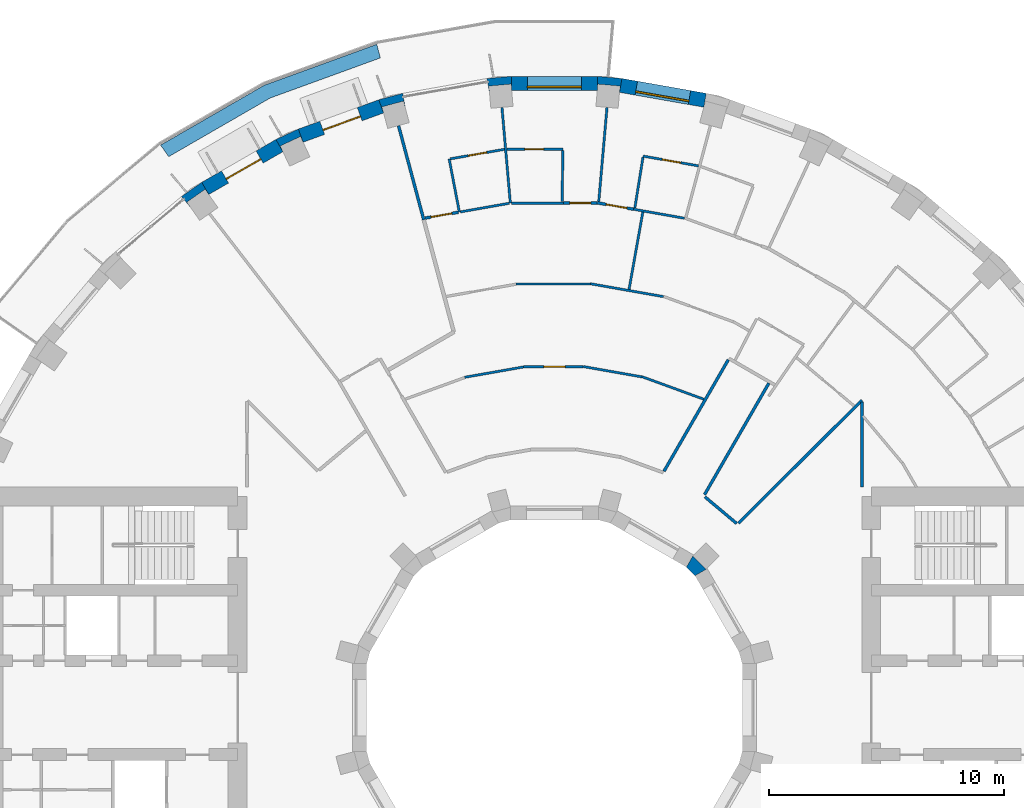
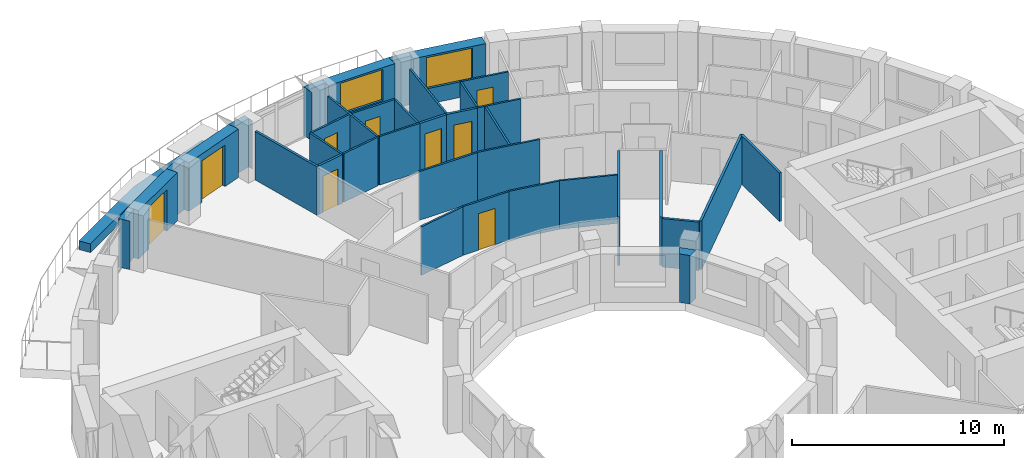
# One storey, part 11 of 14: 38 walls, 9 doors, 2 windows, 11 openings.
"""IFC4 building model written with IfcOpenShell, lengths in metres."""

import ifcopenshell
import ifcopenshell.guid

model = None  # the IFC model being written
_history = None  # IfcOwnerHistory: only IFC2X3 demands one
_inside = {}  # id of a spatial element -> (the spatial element, [elements in it])
_under = {}  # id of a project, library or spatial element -> (it, [spatial elements below it])
_declared = {}  # id of a project -> (the project, [libraries it declares])
_typed = {}  # id of a type object -> (the type object, [elements of that type])
_made_of = {}  # id of a material, layer set ... -> (it, [elements and type objects made of it])


def new_model(schema):
    """Start an empty IFC model of exactly this schema.

    Asked for "IFC4X3", IfcOpenShell would pick the latest addendum, in which some entities
    have other attributes; the version numbers below select the first issue.
    IFC2X3 requires an IfcOwnerHistory on every rooted entity: one is made here for all.
    """
    global model, _history
    if schema == "IFC4X3":
        model = ifcopenshell.file(schema_version=(4, 3, 0, 0))
    else:
        model = ifcopenshell.file(schema=schema)
    _inside.clear()
    _under.clear()
    _declared.clear()
    _typed.clear()
    _made_of.clear()
    _history = None
    if model.schema == "IFC2X3":
        org = make("IfcOrganization", Name="unknown")
        user = make(
            "IfcPersonAndOrganization",
            ThePerson=make("IfcPerson", FamilyName="unknown"),
            TheOrganization=org,
        )
        app = make(
            "IfcApplication",
            ApplicationDeveloper=org,
            Version="unknown",
            ApplicationFullName="unknown",
            ApplicationIdentifier="unknown",
        )
        _history = make(
            "IfcOwnerHistory",
            OwningUser=user,
            OwningApplication=app,
            ChangeAction="ADDED",
            CreationDate=0,
        )
    return model


def make(cls, **values):
    """One entity of the class cls with the attributes given. An attribute that is None is left unset."""
    return model.create_entity(
        cls, **{name: value for name, value in values.items() if value is not None}
    )


def rooted(cls, **values):
    """An entity with a GlobalId (a new one), such as an element, a storey or a relation."""
    return make(cls, GlobalId=ifcopenshell.guid.new(), OwnerHistory=_history, **values)


def si_unit(unit_type, name, prefix=None):
    """IfcSIUnit, for example si_unit("LENGTHUNIT", "METRE", prefix="MILLI")."""
    return make("IfcSIUnit", UnitType=unit_type, Prefix=prefix, Name=name)


def assignment(units):
    """IfcUnitAssignment: the units of a project."""
    return None if units is None else make("IfcUnitAssignment", Units=units)


def point(xyz):
    """IfcCartesianPoint."""
    return None if xyz is None else make("IfcCartesianPoint", Coordinates=xyz)


def direction(xyz):
    """IfcDirection."""
    return None if xyz is None else make("IfcDirection", DirectionRatios=xyz)


def frame(location, z_axis=None, x_axis=None):
    """IfcAxis2Placement3D, a coordinate frame: its origin and axes. An axis left out is left unset."""
    return make(
        "IfcAxis2Placement3D",
        Location=point(location),
        Axis=direction(z_axis),
        RefDirection=direction(x_axis),
    )


def frame_2d(location, x_axis=None):
    """IfcAxis2Placement2D, a coordinate frame in the plane: its origin and x axis."""
    return make(
        "IfcAxis2Placement2D", Location=point(location), RefDirection=direction(x_axis)
    )


def origin():
    """The frame at (0, 0, 0) with its axes left unset."""
    return frame((0.0, 0.0, 0.0))


def place(relative_to, where):
    """IfcLocalPlacement: puts the frame where relative to a parent placement (None: the world)."""
    return make(
        "IfcLocalPlacement", PlacementRelTo=relative_to, RelativePlacement=where
    )


def context(
    kind, dimensions, precision=None, world=None, true_north=None, identifier=None
):
    """IfcGeometricRepresentationContext, for example the 3D "Model" context."""
    return make(
        "IfcGeometricRepresentationContext",
        ContextIdentifier=identifier,
        ContextType=kind,
        CoordinateSpaceDimension=dimensions,
        Precision=precision,
        WorldCoordinateSystem=world,
        TrueNorth=true_north,
    )


def subcontext(parent, identifier, kind, view, scale=None):
    """IfcGeometricRepresentationSubContext, for example "Body" below "Model"."""
    return make(
        "IfcGeometricRepresentationSubContext",
        ContextIdentifier=identifier,
        ContextType=kind,
        ParentContext=parent,
        TargetScale=scale,
        TargetView=view,
    )


def project(units=None, contexts=None):
    """IfcProject with its units and contexts."""
    return rooted(
        "IfcProject",
        Name="project",
        RepresentationContexts=contexts,
        UnitsInContext=assignment(units),
    )


def spatial(cls, under=None, at=None, **own):
    """A site, building, storey or space (cls), placed at a placement, below another one or the project."""
    s = rooted(cls, ObjectPlacement=at, **own)
    if under is not None:
        _under.setdefault(under.id(), (under, []))[1].append(s)
    return s


def polyline(points):
    """IfcPolyline through the points."""
    return make("IfcPolyline", Points=[point(p) for p in points])


def profile(cls, at=None, kind="AREA", **sizes):
    """A parametric profile (cls). Its sizes go by their IFC names, for example OverallWidth=200.0."""
    return make(cls, ProfileType=kind, Position=at, **sizes)


def rectangle(**sizes):
    """IfcRectangleProfileDef."""
    return profile("IfcRectangleProfileDef", **sizes)


def outline(outer, holes=None, kind="AREA"):
    """IfcArbitraryClosedProfileDef: a profile drawn as a closed curve; with holes, ...WithVoids."""
    if holes is None:
        return make("IfcArbitraryClosedProfileDef", ProfileType=kind, OuterCurve=outer)
    return make(
        "IfcArbitraryProfileDefWithVoids",
        ProfileType=kind,
        OuterCurve=outer,
        InnerCurves=holes,
    )


def extrude(swept, where, along, depth):
    """IfcExtrudedAreaSolid: the profile swept, set in the frame where, extruded along a direction by depth."""
    return make(
        "IfcExtrudedAreaSolid",
        SweptArea=swept,
        Position=where,
        ExtrudedDirection=direction(along),
        Depth=depth,
    )


def shape(context_of_items, identifier, shape_type, items):
    """IfcShapeRepresentation: the items that make up one representation, for example the "Body"."""
    return make(
        "IfcShapeRepresentation",
        ContextOfItems=context_of_items,
        RepresentationIdentifier=identifier,
        RepresentationType=shape_type,
        Items=items,
    )


def material(Name=None, Category=None):
    """IfcMaterial."""
    return make("IfcMaterial", Name=Name, Category=Category)


def layer(
    of_material, thickness, ventilated=None, Name=None, Category=None, Priority=None
):
    """IfcMaterialLayer: one layer of a wall or slab, of a material (None: an air gap)."""
    return make(
        "IfcMaterialLayer",
        Material=of_material,
        LayerThickness=thickness,
        IsVentilated=ventilated,
        Name=Name,
        Category=Category,
        Priority=Priority,
    )


def layer_set(layers, Name=None):
    """IfcMaterialLayerSet."""
    return make("IfcMaterialLayerSet", MaterialLayers=layers, LayerSetName=Name)


def made_of(thing, what):
    """Note that an element or type object is made of a material, layer set ...; save() writes the relation."""
    if what is not None:
        _made_of.setdefault(what.id(), (what, []))[1].append(thing)
    return thing


def type_object(cls, material=None, **own):
    """A type object (cls), such as IfcWallType, which elements share."""
    return made_of(rooted(cls, **own), material)


def element(
    cls,
    number,
    at=None,
    inside=None,
    cuts=None,
    type_object=None,
    material=None,
    context=None,
    identifier="Body",
    shape_type=None,
    held_by="IfcProductDefinitionShape",
    body=None,
    shapes=None,
    **own,
):
    """One element of the class cls, such as IfcWall. Its Tag is "e" and its number.

    at: its placement. inside: the storey or other place that contains it. cuts: it is an
    opening in that element (IfcRelVoidsElement). A single representation is given by context,
    identifier, shape_type and body (its items); several are given by shapes. held_by: the class
    of the entity that holds the representations. save() writes the other relations.
    """
    e = rooted(cls, Tag="e%d" % number, ObjectPlacement=at, **own)
    if body is not None:
        shapes = [shape(context, identifier, shape_type, body)]
    if shapes is not None:
        e.Representation = make(held_by, Representations=shapes)
    if inside is not None:
        _inside.setdefault(inside.id(), (inside, []))[1].append(e)
    if cuts is not None:
        rooted(
            "IfcRelVoidsElement", RelatingBuildingElement=cuts, RelatedOpeningElement=e
        )
    if type_object is not None:
        _typed.setdefault(type_object.id(), (type_object, []))[1].append(e)
    return made_of(e, material)


def fill(opening, filler):
    """IfcRelFillsElement: the door or window that sits in an opening."""
    return rooted(
        "IfcRelFillsElement",
        RelatingOpeningElement=opening,
        RelatedBuildingElement=filler,
    )


def aggregate(whole, parts):
    """IfcRelAggregates: a whole, such as a stair, and the parts it consists of."""
    return rooted("IfcRelAggregates", RelatingObject=whole, RelatedObjects=parts)


def save(model, path):
    """Write the relations noted so far, then the file.

    IfcRelAggregates (storeys below a building ...), IfcRelContainedInSpatialStructure (elements
    in a storey), IfcRelDefinesByType, IfcRelAssociatesMaterial and IfcRelDeclares: one each for
    every whole, place, type object, material and project.
    """
    for whole, parts in _under.values():
        aggregate(whole, parts)
    for where, things in _inside.values():
        rooted(
            "IfcRelContainedInSpatialStructure",
            RelatedElements=things,
            RelatingStructure=where,
        )
    for kind, things in _typed.values():
        rooted("IfcRelDefinesByType", RelatedObjects=things, RelatingType=kind)
    for what, things in _made_of.values():
        rooted("IfcRelAssociatesMaterial", RelatedObjects=things, RelatingMaterial=what)
    for by, libraries in _declared.values():
        rooted("IfcRelDeclares", RelatingContext=by, RelatedDefinitions=libraries)
    model.write(path)


model = new_model("IFC4")

# Units and contexts
model_context = context("Model", 3, precision=1e-05, world=origin(), true_north=direction((0.0, 1.0)))
body_context = subcontext(model_context, "Body", "Model", "MODEL_VIEW")
ifc_project = project(units=[si_unit("LENGTHUNIT", "METRE"), si_unit("AREAUNIT", "SQUARE_METRE"), si_unit("VOLUMEUNIT", "CUBIC_METRE"), si_unit("PLANEANGLEUNIT", "RADIAN"), si_unit("MASSUNIT", "GRAM", prefix="KILO")], contexts=[model_context])

# Site, building, storey
site_placement = place(None, origin())
site = spatial("IfcSite", under=ifc_project, at=site_placement, CompositionType="ELEMENT")
building_placement = place(site_placement, origin())
building = spatial("IfcBuilding", under=site, at=building_placement, Name="Saqina Gate Tower", CompositionType="ELEMENT")
storey_placement = place(building_placement, frame((0.0, 0.0, 95.199951171875)))
storey = spatial("IfcBuildingStorey", under=building, at=storey_placement, Name="L26", CompositionType="ELEMENT", Elevation=95.199951171875)

# Walls
ifc_material_1 = material(Name="Brick masonry (buff)", Category="masonry")
wall_type_1 = type_object("IfcWallType", Name="BRICK PIER COPING BUFF", PredefinedType="SOLIDWALL", material=ifc_material_1)
wall_1_placement = place(storey_placement, origin())
element("IfcWall", 1, at=wall_1_placement, inside=storey, type_object=wall_type_1, Name="Pier cap L26 column 9", PredefinedType="SOLIDWALL", context=body_context, shape_type="SweptSolid", body=[
    extrude(outline(polyline([(2.87451171875, 26.805419921875), (1.823974609375, 26.897216796875), (1.823974609375, 26.29736328125), (1.847412109375, 26.565185546875), (2.793701171875, 26.482421875), (2.770263671875, 26.214599609375), (2.87451171875, 26.805419921875)])), origin(), (0.0, 0.0, 1.0), 2.800048828125),
])
wall_2_placement = place(storey_placement, origin())
element("IfcWall", 2, at=wall_2_placement, inside=storey, type_object=wall_type_1, Name="Pier cap L26 column 10", PredefinedType="SOLIDWALL", context=body_context, shape_type="SweptSolid", body=[
    extrude(outline(polyline([(-2.87451171875, 26.805419921875), (-2.770263671875, 26.214599609375), (-2.793701171875, 26.482421875), (-1.847412109375, 26.565185546875), (-1.823974609375, 26.29736328125), (-1.823974609375, 26.897216796875), (-2.87451171875, 26.805419921875)])), origin(), (0.0, 0.0, 1.0), 2.800048828125),
])
wall_3_placement = place(storey_placement, origin())
element("IfcWall", 3, at=wall_3_placement, inside=storey, type_object=wall_type_1, Name="Pier cap L26 column 11", PredefinedType="SOLIDWALL", context=body_context, shape_type="SweptSolid", body=[
    extrude(outline(polyline([(-6.466796875, 26.171875), (-7.485595703125, 25.89892578125), (-7.2802734375, 25.335205078125), (-7.349853515625, 25.5947265625), (-6.43212890625, 25.8408203125), (-6.36279296875, 25.5810546875), (-6.466796875, 26.171875)])), origin(), (0.0, 0.0, 1.0), 2.800048828125),
])
wall_4_placement = place(storey_placement, origin())
element("IfcWall", 4, at=wall_4_placement, inside=storey, type_object=wall_type_1, Name="Pier cap L26 column 12", PredefinedType="SOLIDWALL", context=body_context, shape_type="SweptSolid", body=[
    extrude(outline(polyline([(-10.913330078125, 24.6513671875), (-11.869140625, 24.205810546875), (-11.569091796875, 23.68603515625), (-11.6826171875, 23.9296875), (-10.82177734375, 24.331298828125), (-10.7080078125, 24.08740234375), (-10.913330078125, 24.6513671875)])), origin(), (0.0, 0.0, 1.0), 2.800048828125),
])
wall_5_placement = place(storey_placement, origin())
element("IfcWall", 5, at=wall_5_placement, inside=storey, type_object=wall_type_1, Name="Pier cap L26 column 13", PredefinedType="SOLIDWALL", context=body_context, shape_type="SweptSolid", body=[
    extrude(outline(polyline([(-15.89208984375, 21.77685546875), (-15.50634765625, 21.317138671875), (-15.66064453125, 21.53759765625), (-14.88232421875, 22.08251953125), (-14.728271484375, 21.862060546875), (-15.0283203125, 22.3818359375), (-15.89208984375, 21.77685546875)])), origin(), (0.0, 0.0, 1.0), 2.800048828125),
])

# Wall, opening, window
ifc_material_2 = material(Name="Brick masonry (buff)", Category="masonry")
ifc_layer_1 = layer(ifc_material_2, 0.60009765625)
ifc_layer_set_1 = layer_set([ifc_layer_1], Name="FW-BRICK-BUFF")
wall_type_2 = type_object("IfcWallType", Name="FW-BRICK-BUFF", PredefinedType="SOLIDWALL", material=ifc_layer_set_1)
wall_6_placement = place(storey_placement, frame((6.414794921875, 25.87646484375, 0.0), z_axis=(0.0, 0.0, 1.0), x_axis=(-0.984803764455, 0.173670796382, 0.0)))
wall_6 = element("IfcWall", 6, at=wall_6_placement, inside=storey, type_object=wall_type_2, Name="Facade wall L26 facet 8", PredefinedType="SOLIDWALL", context=body_context, shape_type="SweptSolid", body=[
    extrude(rectangle(XDim=3.64794921875, YDim=0.60009765625, at=frame_2d((1.823974609375, 0.0))), origin(), (0.0, 0.0, 1.0), 2.800048828125),
])
opening_1_placement = place(wall_6_placement, frame((0.673828125, 0.0, 0.89990234375)))
opening_1 = element("IfcOpeningElement", 7, at=opening_1_placement, cuts=wall_6, Name="Opening G07-W06", PredefinedType="OPENING", context=body_context, shape_type="SweptSolid", body=[
    extrude(rectangle(XDim=2.300048828125, YDim=1.800048828125, at=frame_2d((1.14990234375, 0.89990234375))), frame((0.0, 0.31201171875, 0.0), z_axis=(0.0, -1.0, 0.0), x_axis=(1.0, 0.0, 0.0)), (0.0, 0.0, 1.0), 0.6240234375),
])
ifc_material_3 = material(Name="Aluminium glazing", Category="aluminium")
window_type = type_object("IfcWindowType", Name="WN-B", PartitioningType="SINGLE_PANEL", PredefinedType="WINDOW", material=ifc_material_3)
window_1_placement = place(opening_1_placement, origin())
window_1 = element("IfcWindow", 8, at=window_1_placement, inside=storey, type_object=window_type, Name="Window L26 facet 8", OverallHeight=1.800048828125, OverallWidth=2.300048828125, PartitioningType="SINGLE_PANEL", PredefinedType="WINDOW", context=body_context, shape_type="SweptSolid", body=[
    extrude(rectangle(XDim=2.300048828125, YDim=1.800048828125, at=frame_2d((1.14990234375, 0.89990234375))), frame((0.0, 0.179931640625, 0.0), z_axis=(0.0, -1.0, 0.0), x_axis=(1.0, 0.0, 0.0)), (0.0, 0.0, 1.0), 0.06005859375),
])
fill(opening_1, window_1)

wall_7_placement = place(storey_placement, frame((1.823974609375, 26.59716796875, 0.0), z_axis=(0.0, 0.0, 1.0), x_axis=(-1.0, 0.0, 0.0)))
wall_7 = element("IfcWall", 9, at=wall_7_placement, inside=storey, type_object=wall_type_2, Name="Facade wall L26 facet 9", PredefinedType="SOLIDWALL", context=body_context, shape_type="SweptSolid", body=[
    extrude(rectangle(XDim=3.64794921875, YDim=0.60009765625, at=frame_2d((1.823974609375, 0.0))), origin(), (0.0, 0.0, 1.0), 2.800048828125),
])
opening_2_placement = place(wall_7_placement, frame((0.673828125, 0.0, 0.89990234375)))
opening_2 = element("IfcOpeningElement", 10, at=opening_2_placement, cuts=wall_7, Name="Opening G07-W07", PredefinedType="OPENING", context=body_context, shape_type="SweptSolid", body=[
    extrude(rectangle(XDim=2.300048828125, YDim=1.800048828125, at=frame_2d((1.14990234375, 0.89990234375))), frame((0.0, 0.31201171875, 0.0), z_axis=(0.0, -1.0, 0.0), x_axis=(1.0, 0.0, 0.0)), (0.0, 0.0, 1.0), 0.6240234375),
])
window_2_placement = place(opening_2_placement, origin())
window_2 = element("IfcWindow", 11, at=window_2_placement, inside=storey, type_object=window_type, Name="Window L26 facet 9", OverallHeight=1.800048828125, OverallWidth=2.300048828125, PartitioningType="SINGLE_PANEL", PredefinedType="WINDOW", context=body_context, shape_type="SweptSolid", body=[
    extrude(rectangle(XDim=2.300048828125, YDim=1.800048828125, at=frame_2d((1.14990234375, 0.89990234375))), frame((0.0, 0.179931640625, 0.0), z_axis=(0.0, -1.0, 0.0), x_axis=(1.0, 0.0, 0.0)), (0.0, 0.0, 1.0), 0.06005859375),
])
fill(opening_2, window_2)

# Wall, opening, door
wall_8_placement = place(storey_placement, frame((-7.3828125, 25.616943359375, 0.0), z_axis=(0.0, 0.0, 1.0), x_axis=(-0.939703505393, -0.341990236633, 0.0)))
wall_8 = element("IfcWall", 12, at=wall_8_placement, inside=storey, type_object=wall_type_2, Name="Facade wall L26 facet 11", PredefinedType="SOLIDWALL", context=body_context, shape_type="SweptSolid", body=[
    extrude(rectangle(XDim=3.64794921875, YDim=0.60009765625, at=frame_2d((1.823974609375, 0.0))), origin(), (0.0, 0.0, 1.0), 2.800048828125),
])
opening_3_placement = place(wall_8_placement, frame((0.973876953125, 0.0, 0.0)))
opening_3 = element("IfcOpeningElement", 13, at=opening_3_placement, cuts=wall_8, Name="Opening G07-D80", PredefinedType="OPENING", context=body_context, shape_type="SweptSolid", body=[
    extrude(rectangle(XDim=1.699951171875, YDim=2.39990234375, at=frame_2d((0.85009765625, 1.199951171875))), frame((0.0, 0.31201171875, 0.0), z_axis=(0.0, -1.0, 0.0), x_axis=(1.0, 0.0, 0.0)), (0.0, 0.0, 1.0), 0.6240234375),
])
ifc_material_4 = material(Name="Aluminium glazing", Category="aluminium")
door_type_1 = type_object("IfcDoorType", Name="GD-B", OperationType="DOUBLE_DOOR_SINGLE_SWING", PredefinedType="DOOR", material=ifc_material_4)
door_1_placement = place(opening_3_placement, origin())
door_1 = element("IfcDoor", 14, at=door_1_placement, inside=storey, type_object=door_type_1, Name="Terrace door L26 facet 11", OperationType="DOUBLE_DOOR_SINGLE_SWING", OverallHeight=2.39990234375, OverallWidth=1.699951171875, PredefinedType="DOOR", context=body_context, shape_type="SweptSolid", body=[
    extrude(rectangle(XDim=1.699951171875, YDim=2.39990234375, at=frame_2d((0.85009765625, 1.199951171875))), frame((0.0, 0.125, 0.0), z_axis=(0.0, -1.0, 0.0), x_axis=(1.0, 0.0, 0.0)), (0.0, 0.0, 1.0), 0.050048828125),
])
fill(opening_3, door_1)

wall_9_placement = place(storey_placement, frame((-11.718994140625, 23.94580078125, 0.0), z_axis=(0.0, 0.0, 1.0), x_axis=(-0.866051847062, -0.499954196102, 0.0)))
wall_9 = element("IfcWall", 15, at=wall_9_placement, inside=storey, type_object=wall_type_2, Name="Facade wall L26 facet 12", PredefinedType="SOLIDWALL", context=body_context, shape_type="SweptSolid", body=[
    extrude(rectangle(XDim=3.647705078125, YDim=0.60009765625, at=frame_2d((1.82373046875, 0.0))), origin(), (0.0, 0.0, 1.0), 2.800048828125),
])
opening_4_placement = place(wall_9_placement, frame((0.973876953125, 0.0, 0.0)))
opening_4 = element("IfcOpeningElement", 16, at=opening_4_placement, cuts=wall_9, Name="Opening G07-D81", PredefinedType="OPENING", context=body_context, shape_type="SweptSolid", body=[
    extrude(rectangle(XDim=1.699951171875, YDim=2.39990234375, at=frame_2d((0.85009765625, 1.199951171875))), frame((0.0, 0.31201171875, 0.0), z_axis=(0.0, -1.0, 0.0), x_axis=(1.0, 0.0, 0.0)), (0.0, 0.0, 1.0), 0.6240234375),
])
door_2_placement = place(opening_4_placement, origin())
door_2 = element("IfcDoor", 17, at=door_2_placement, inside=storey, type_object=door_type_1, Name="Terrace door L26 facet 12", OperationType="DOUBLE_DOOR_SINGLE_SWING", OverallHeight=2.39990234375, OverallWidth=1.699951171875, PredefinedType="DOOR", context=body_context, shape_type="SweptSolid", body=[
    extrude(rectangle(XDim=1.699951171875, YDim=2.39990234375, at=frame_2d((0.85009765625, 1.199951171875))), frame((0.0, 0.125, 0.0), z_axis=(0.0, -1.0, 0.0), x_axis=(1.0, 0.0, 0.0)), (0.0, 0.0, 1.0), 0.050048828125),
])
fill(opening_4, door_2)

# Walls
ifc_material_5 = material(Name="Gypsum board on steel studs, 100 mm", Category="steel")
ifc_layer_2 = layer(ifc_material_5, 0.10009765625)
ifc_layer_set_2 = layer_set([ifc_layer_2], Name="PARTITION 100")
wall_type_3 = type_object("IfcWallType", Name="PARTITION 100", PredefinedType="PARTITIONING", material=ifc_layer_set_2)
wall_10_placement = place(storey_placement, frame((-2.23681640625, 25.5673828125, 0.0), z_axis=(0.0, 0.0, 1.0), x_axis=(0.087060211484, -0.996203051379, 0.0)))
element("IfcWall", 18, at=wall_10_placement, inside=storey, type_object=wall_type_3, Name="PARTITION PW3-01", PredefinedType="PARTITIONING", context=body_context, shape_type="SweptSolid", body=[
    extrude(rectangle(XDim=4.0859375, YDim=0.10009765625, at=frame_2d((2.04296875, 0.0))), origin(), (0.0, 0.0, 1.0), 2.800048828125),
])
wall_11_placement = place(storey_placement, frame((-4.486083984375, 23.373046875, 0.0), z_axis=(0.0, 0.0, 1.0), x_axis=(0.188701744684, -0.982034445197, 0.0)))
element("IfcWall", 19, at=wall_11_placement, inside=storey, type_object=wall_type_3, Name="PARTITION PW3-04", PredefinedType="PARTITIONING", context=body_context, shape_type="SweptSolid", body=[
    extrude(rectangle(XDim=2.30029296875, YDim=0.10009765625, at=frame_2d((1.150146484375, 0.0))), origin(), (0.0, 0.0, 1.0), 2.800048828125),
])
wall_12_placement = place(storey_placement, frame((3.726318359375, 14.101318359375, 0.0), z_axis=(0.0, 0.0, 1.0), x_axis=(0.939597715072, -0.342280782152, 0.0)))
element("IfcWall", 20, at=wall_12_placement, inside=storey, type_object=wall_type_3, Name="PARTITION PW3-39", PredefinedType="PARTITIONING", context=body_context, shape_type="SweptSolid", body=[
    extrude(rectangle(XDim=2.806640625, YDim=0.10009765625, at=frame_2d((1.4033203125, 0.0))), origin(), (0.0, 0.0, 1.0), 2.800048828125),
])
wall_13_placement = place(storey_placement, frame((3.364990234375, 21.236328125, 0.0), z_axis=(0.0, 0.0, 1.0), x_axis=(0.98465059855, -0.174537098562, 0.0)))
element("IfcWall", 21, at=wall_13_placement, inside=storey, type_object=wall_type_3, Name="PARTITION PW3-43", PredefinedType="PARTITIONING", context=body_context, shape_type="SweptSolid", body=[
    extrude(rectangle(XDim=2.20458984375, YDim=0.10009765625, at=frame_2d((1.102294921875, 0.0))), origin(), (0.0, 0.0, 1.0), 2.800048828125),
])
wall_14_placement = place(storey_placement, frame((1.220947265625, 14.53369140625, 0.0), z_axis=(0.0, 0.0, 1.0), x_axis=(0.98484729526, -0.173423772937, 0.0)))
element("IfcWall", 22, at=wall_14_placement, inside=storey, type_object=wall_type_3, Name="PARTITION PW3-47", PredefinedType="PARTITIONING", context=body_context, shape_type="SweptSolid", body=[
    extrude(rectangle(XDim=2.54248046875, YDim=0.10009765625, at=frame_2d((1.271240234375, 0.0))), origin(), (0.0, 0.0, 1.0), 2.800048828125),
])
wall_15_placement = place(storey_placement, frame((1.529052734375, 18.060791015625, 0.0), z_axis=(0.0, 0.0, 1.0), x_axis=(0.984824759837, -0.173551699537, 0.0)))
element("IfcWall", 23, at=wall_15_placement, inside=storey, type_object=wall_type_3, Name="PARTITION PW3-48", PredefinedType="PARTITIONING", context=body_context, shape_type="SweptSolid", body=[
    extrude(rectangle(XDim=3.159423828125, YDim=0.10009765625, at=frame_2d((1.57958984375, 0.0))), origin(), (0.0, 0.0, 1.0), 2.800048828125),
])

# Wall, opening, door
wall_16_placement = place(storey_placement, frame((3.779052734375, 23.498046875, 0.0), z_axis=(0.0, 0.0, 1.0), x_axis=(0.984802055472, -0.173680486922, 0.0)))
wall_16 = element("IfcWall", 24, at=wall_16_placement, inside=storey, type_object=wall_type_3, Name="PARTITION PW3-49", PredefinedType="PARTITIONING", context=body_context, shape_type="SweptSolid", body=[
    extrude(rectangle(XDim=2.39111328125, YDim=0.10009765625, at=frame_2d((1.195556640625, 0.0))), origin(), (0.0, 0.0, 1.0), 2.800048828125),
])
opening_5_placement = place(wall_16_placement, frame((0.820556640625, 0.0, 0.0)))
opening_5 = element("IfcOpeningElement", 25, at=opening_5_placement, cuts=wall_16, Name="Opening G07-D13", PredefinedType="OPENING", context=body_context, shape_type="SweptSolid", body=[
    extrude(rectangle(XDim=0.800048828125, YDim=2.10009765625, at=frame_2d((0.39990234375, 1.050048828125))), frame((0.0, 0.06201171875, 0.0), z_axis=(0.0, -1.0, 0.0), x_axis=(1.0, 0.0, 0.0)), (0.0, 0.0, 1.0), 0.1240234375),
])
ifc_material_6 = material(Name="Timber door leaf, 800 mm", Category="wood")
door_type_2 = type_object("IfcDoorType", Name="DOOR 800 TIMBER", OperationType="SINGLE_SWING_LEFT", PredefinedType="DOOR", material=ifc_material_6)
door_3_placement = place(opening_5_placement, origin())
door_3 = element("IfcDoor", 26, at=door_3_placement, inside=storey, type_object=door_type_2, Name="DOOR G07-D13", OperationType="SINGLE_SWING_RIGHT", OverallHeight=2.10009765625, OverallWidth=0.800048828125, PredefinedType="DOOR", context=body_context, shape_type="SweptSolid", body=[
    extrude(rectangle(XDim=0.800048828125, YDim=2.10009765625, at=frame_2d((0.39990234375, 1.050048828125))), frame((0.0, 0.02490234375, 0.0), z_axis=(0.0, -1.0, 0.0), x_axis=(1.0, 0.0, 0.0)), (0.0, 0.0, 1.0), 0.050048828125),
])
fill(opening_5, door_3)

wall_17_placement = place(storey_placement, frame((-1.32177734375, 14.52490234375, 0.0), z_axis=(0.0, 0.0, 1.0), x_axis=(1.0, 0.0, 0.0)))
wall_17 = element("IfcWall", 27, at=wall_17_placement, inside=storey, type_object=wall_type_3, Name="PARTITION PW3-54", PredefinedType="PARTITIONING", context=body_context, shape_type="SweptSolid", body=[
    extrude(rectangle(XDim=2.542724609375, YDim=0.10009765625, at=frame_2d((1.271484375, 0.0))), origin(), (0.0, 0.0, 1.0), 2.800048828125),
])
opening_6_placement = place(wall_17_placement, frame((0.871826171875, 0.0, 0.0)))
opening_6 = element("IfcOpeningElement", 28, at=opening_6_placement, cuts=wall_17, Name="Opening G07-D16", PredefinedType="OPENING", context=body_context, shape_type="SweptSolid", body=[
    extrude(rectangle(XDim=0.89990234375, YDim=2.10009765625, at=frame_2d((0.449951171875, 1.050048828125))), frame((0.0, 0.06201171875, 0.0), z_axis=(0.0, -1.0, 0.0), x_axis=(1.0, 0.0, 0.0)), (0.0, 0.0, 1.0), 0.1240234375),
])
ifc_material_7 = material(Name="Timber door leaf, 900 mm", Category="wood")
door_type_3 = type_object("IfcDoorType", Name="DOOR 900 TIMBER", OperationType="SINGLE_SWING_LEFT", PredefinedType="DOOR", material=ifc_material_7)
door_4_placement = place(opening_6_placement, origin())
door_4 = element("IfcDoor", 29, at=door_4_placement, inside=storey, type_object=door_type_3, Name="DOOR G07-D16", OperationType="SINGLE_SWING_RIGHT", OverallHeight=2.10009765625, OverallWidth=0.89990234375, PredefinedType="DOOR", context=body_context, shape_type="SweptSolid", body=[
    extrude(rectangle(XDim=0.89990234375, YDim=2.10009765625, at=frame_2d((0.449951171875, 1.050048828125))), frame((0.0, 0.02490234375, 0.0), z_axis=(0.0, -1.0, 0.0), x_axis=(1.0, 0.0, 0.0)), (0.0, 0.0, 1.0), 0.050048828125),
])
fill(opening_6, door_4)

# Walls
wall_18_placement = place(storey_placement, frame((-1.6298828125, 18.052001953125, 0.0), z_axis=(0.0, 0.0, 1.0), x_axis=(1.0, 0.0, 0.0)))
element("IfcWall", 30, at=wall_18_placement, inside=storey, type_object=wall_type_3, Name="PARTITION PW3-55", PredefinedType="PARTITIONING", context=body_context, shape_type="SweptSolid", body=[
    extrude(rectangle(XDim=3.158935546875, YDim=0.10009765625, at=frame_2d((1.57958984375, 0.0))), origin(), (0.0, 0.0, 1.0), 2.800048828125),
])
wall_19_placement = place(storey_placement, frame((-1.8310546875, 21.4970703125, 0.0), z_axis=(0.0, 0.0, 1.0), x_axis=(1.0, 0.0, 0.0)))
element("IfcWall", 31, at=wall_19_placement, inside=storey, type_object=wall_type_3, Name="PARTITION PW3-56", PredefinedType="PARTITIONING", context=body_context, shape_type="SweptSolid", body=[
    extrude(rectangle(XDim=2.205078125, YDim=0.10009765625, at=frame_2d((1.1025390625, 0.0))), origin(), (0.0, 0.0, 1.0), 2.800048828125),
])

# Wall, opening, door
wall_20_placement = place(storey_placement, frame((-2.031982421875, 23.797119140625, 0.0), z_axis=(0.0, 0.0, 1.0), x_axis=(1.0, 0.0, 0.0)))
wall_20 = element("IfcWall", 32, at=wall_20_placement, inside=storey, type_object=wall_type_3, Name="PARTITION PW3-57", PredefinedType="PARTITIONING", context=body_context, shape_type="SweptSolid", body=[
    extrude(rectangle(XDim=2.390869140625, YDim=0.10009765625, at=frame_2d((1.1953125, 0.0))), origin(), (0.0, 0.0, 1.0), 2.800048828125),
])
opening_7_placement = place(wall_20_placement, frame((0.7705078125, 0.0, 0.0)))
opening_7 = element("IfcOpeningElement", 33, at=opening_7_placement, cuts=wall_20, Name="Opening G07-D17", PredefinedType="OPENING", context=body_context, shape_type="SweptSolid", body=[
    extrude(rectangle(XDim=0.800048828125, YDim=2.10009765625, at=frame_2d((0.39990234375, 1.050048828125))), frame((0.0, 0.06201171875, 0.0), z_axis=(0.0, -1.0, 0.0), x_axis=(1.0, 0.0, 0.0)), (0.0, 0.0, 1.0), 0.1240234375),
])
door_5_placement = place(opening_7_placement, origin())
door_5 = element("IfcDoor", 34, at=door_5_placement, inside=storey, type_object=door_type_2, Name="DOOR G07-D17", OperationType="SINGLE_SWING_LEFT", OverallHeight=2.10009765625, OverallWidth=0.800048828125, PredefinedType="DOOR", context=body_context, shape_type="SweptSolid", body=[
    extrude(rectangle(XDim=0.800048828125, YDim=2.10009765625, at=frame_2d((0.39990234375, 1.050048828125))), frame((0.0, 0.02490234375, 0.0), z_axis=(0.0, -1.0, 0.0), x_axis=(1.0, 0.0, 0.0)), (0.0, 0.0, 1.0), 0.050048828125),
])
fill(opening_7, door_5)

# Walls
wall_21_placement = place(storey_placement, frame((-3.823974609375, 14.0751953125, 0.0), z_axis=(0.0, 0.0, 1.0), x_axis=(0.984827998664, 0.173533319706, 0.0)))
element("IfcWall", 35, at=wall_21_placement, inside=storey, type_object=wall_type_3, Name="PARTITION PW3-61", PredefinedType="PARTITIONING", context=body_context, shape_type="SweptSolid", body=[
    extrude(rectangle(XDim=2.542236328125, YDim=0.10009765625, at=frame_2d((1.27099609375, 0.0))), origin(), (0.0, 0.0, 1.0), 2.800048828125),
])
wall_22_placement = place(storey_placement, frame((-4.002685546875, 21.122802734375, 0.0), z_axis=(0.0, 0.0, 1.0), x_axis=(0.984804573467, 0.173666208797, 0.0)))
element("IfcWall", 36, at=wall_22_placement, inside=storey, type_object=wall_type_3, Name="PARTITION PW3-63", PredefinedType="PARTITIONING", context=body_context, shape_type="SweptSolid", body=[
    extrude(rectangle(XDim=2.1044921875, YDim=0.10009765625, at=frame_2d((1.05224609375, 0.0))), origin(), (0.0, 0.0, 1.0), 2.800048828125),
])

# Wall, opening, door
wall_23_placement = place(storey_placement, frame((-4.436767578125, 23.381591796875, 0.0), z_axis=(0.0, 0.0, 1.0), x_axis=(0.984790907087, 0.173743688574, 0.0)))
wall_23 = element("IfcWall", 37, at=wall_23_placement, inside=storey, type_object=wall_type_3, Name="PARTITION PW3-64", PredefinedType="PARTITIONING", context=body_context, shape_type="SweptSolid", body=[
    extrude(rectangle(XDim=2.341064453125, YDim=0.10009765625, at=frame_2d((1.17041015625, 0.0))), origin(), (0.0, 0.0, 1.0), 2.800048828125),
])
opening_8_placement = place(wall_23_placement, frame((0.7705078125, 0.0, 0.0)))
opening_8 = element("IfcOpeningElement", 38, at=opening_8_placement, cuts=wall_23, Name="Opening G07-D18", PredefinedType="OPENING", context=body_context, shape_type="SweptSolid", body=[
    extrude(rectangle(XDim=0.800048828125, YDim=2.10009765625, at=frame_2d((0.39990234375, 1.050048828125))), frame((0.0, 0.06201171875, 0.0), z_axis=(0.0, -1.0, 0.0), x_axis=(1.0, 0.0, 0.0)), (0.0, 0.0, 1.0), 0.1240234375),
])
door_6_placement = place(opening_8_placement, origin())
door_6 = element("IfcDoor", 39, at=door_6_placement, inside=storey, type_object=door_type_2, Name="DOOR G07-D18", OperationType="SINGLE_SWING_RIGHT", OverallHeight=2.10009765625, OverallWidth=0.800048828125, PredefinedType="DOOR", context=body_context, shape_type="SweptSolid", body=[
    extrude(rectangle(XDim=0.800048828125, YDim=2.10009765625, at=frame_2d((0.39990234375, 1.050048828125))), frame((0.0, 0.02490234375, 0.0), z_axis=(0.0, -1.0, 0.0), x_axis=(1.0, 0.0, 0.0)), (0.0, 0.0, 1.0), 0.050048828125),
])
fill(opening_8, door_6)

# Walls
wall_24_placement = place(storey_placement, frame((3.177734375, 17.8212890625, 0.0), z_axis=(0.0, 0.0, 1.0), x_axis=(0.175313184309, 0.984512715716, 0.0)))
element("IfcWall", 40, at=wall_24_placement, inside=storey, type_object=wall_type_3, Name="PARTITION PW3-99", PredefinedType="PARTITIONING", context=body_context, shape_type="SweptSolid", body=[
    extrude(rectangle(XDim=3.344970703125, YDim=0.10009765625, at=frame_2d((1.67236328125, 0.0))), origin(), (0.0, 0.0, 1.0), 2.800048828125),
])
wall_25_placement = place(storey_placement, frame((3.424072265625, 21.2890625, 0.0), z_axis=(0.0, 0.0, 1.0), x_axis=(0.1586042635, 0.987342234283, 0.0)))
element("IfcWall", 41, at=wall_25_placement, inside=storey, type_object=wall_type_3, Name="PARTITION PW3-101", PredefinedType="PARTITIONING", context=body_context, shape_type="SweptSolid", body=[
    extrude(rectangle(XDim=2.187255859375, YDim=0.10009765625, at=frame_2d((1.09375, 0.0))), origin(), (0.0, 0.0, 1.0), 2.800048828125),
])
wall_26_placement = place(storey_placement, frame((1.886474609375, 21.559326171875, 0.0), z_axis=(0.0, 0.0, 1.0), x_axis=(0.087137593131, 0.996196285811, 0.0)))
element("IfcWall", 42, at=wall_26_placement, inside=storey, type_object=wall_type_3, Name="PARTITION PW3-103", PredefinedType="PARTITIONING", context=body_context, shape_type="SweptSolid", body=[
    extrude(rectangle(XDim=4.0234375, YDim=0.10009765625, at=frame_2d((2.01171875, 0.0))), origin(), (0.0, 0.0, 1.0), 2.800048828125),
])
wall_27_placement = place(storey_placement, frame((0.324951171875, 21.5595703125, 0.0), z_axis=(0.0, 0.0, 1.0), x_axis=(0.015176823242, 0.999884825386, 0.0)))
element("IfcWall", 43, at=wall_27_placement, inside=storey, type_object=wall_type_3, Name="PARTITION PW3-105", PredefinedType="PARTITIONING", context=body_context, shape_type="SweptSolid", body=[
    extrude(rectangle(XDim=2.187744140625, YDim=0.10009765625, at=frame_2d((1.09375, 0.0))), origin(), (0.0, 0.0, 1.0), 2.800048828125),
])
ifc_material_8 = material(Name="Gypsum board on steel studs, 125 mm, fire rated", Category="steel")
ifc_layer_3 = layer(ifc_material_8, 0.125)
ifc_layer_set_3 = layer_set([ifc_layer_3], Name="PARTITION EI 30 125")
wall_type_4 = type_object("IfcWallType", Name="PARTITION EI 30 125", PredefinedType="PARTITIONING", material=ifc_layer_set_3)
wall_28_placement = place(storey_placement, frame((-6.642333984375, 24.79052734375, 0.0), z_axis=(0.0, 0.0, 1.0), x_axis=(0.258787077678, -0.965934391368, 0.0)))
element("IfcWall", 44, at=wall_28_placement, inside=storey, type_object=wall_type_4, Name="PARTITION PW1-01", PredefinedType="PARTITIONING", context=body_context, shape_type="SweptSolid", body=[
    extrude(rectangle(XDim=4.148193359375, YDim=0.125, at=frame_2d((2.07421875, 0.0))), origin(), (0.0, 0.0, 1.0), 2.800048828125),
])
wall_29_placement = place(storey_placement, frame((6.4091796875, 8.981201171875, 0.0), z_axis=(0.0, 0.0, 1.0), x_axis=(0.766209131969, -0.642591290081, 0.0)))
element("IfcWall", 45, at=wall_29_placement, inside=storey, type_object=wall_type_4, Name="PARTITION PW1-13", PredefinedType="PARTITIONING", context=body_context, shape_type="SweptSolid", body=[
    extrude(rectangle(XDim=1.763671875, YDim=0.125, at=frame_2d((0.8818359375, 0.0))), origin(), (0.0, 0.0, 1.0), 2.800048828125),
])

# Wall, opening, door
wall_30_placement = place(storey_placement, frame((1.818603515625, 21.508056640625, 0.0), z_axis=(0.0, 0.0, 1.0), x_axis=(0.984825798369, -0.17354580625, 0.0)))
wall_30 = element("IfcWall", 46, at=wall_30_placement, inside=storey, type_object=wall_type_4, Name="PARTITION PW1-26", PredefinedType="PARTITIONING", context=body_context, shape_type="SweptSolid", body=[
    extrude(rectangle(XDim=1.570068359375, YDim=0.125, at=frame_2d((0.78515625, 0.0))), origin(), (0.0, 0.0, 1.0), 2.800048828125),
])
opening_9_placement = place(wall_30_placement, frame((0.391845703125, 0.0, 0.0)))
opening_9 = element("IfcOpeningElement", 47, at=opening_9_placement, cuts=wall_30, Name="Opening G07-D14", PredefinedType="OPENING", context=body_context, shape_type="SweptSolid", body=[
    extrude(rectangle(XDim=0.89990234375, YDim=2.10009765625, at=frame_2d((0.449951171875, 1.050048828125))), frame((0.0, 0.074462890625, 0.0), z_axis=(0.0, -1.0, 0.0), x_axis=(1.0, 0.0, 0.0)), (0.0, 0.0, 1.0), 0.14892578125),
])
ifc_material_9 = material(Name="Fire door leaf EI 30, 900 mm")
door_type_4 = type_object("IfcDoorType", Name="DOOR 900 EI 30", OperationType="SINGLE_SWING_LEFT", PredefinedType="DOOR", material=ifc_material_9)
door_7_placement = place(opening_9_placement, frame((0.89990234375, 0.0, 0.0), z_axis=(0.0, 0.0, 1.0), x_axis=(-1.0, 0.0, 0.0)))
door_7 = element("IfcDoor", 48, at=door_7_placement, inside=storey, type_object=door_type_4, Name="DOOR G07-D14", OperationType="SINGLE_SWING_RIGHT", OverallHeight=2.10009765625, OverallWidth=0.89990234375, PredefinedType="DOOR", context=body_context, shape_type="SweptSolid", body=[
    extrude(rectangle(XDim=0.89990234375, YDim=2.10009765625, at=frame_2d((0.449951171875, 1.050048828125))), frame((0.0, 0.02490234375, 0.0), z_axis=(0.0, -1.0, 0.0), x_axis=(1.0, 0.0, 0.0)), (0.0, 0.0, 1.0), 0.050048828125),
])
fill(opening_9, door_7)

wall_31_placement = place(storey_placement, frame((0.3740234375, 21.4970703125, 0.0), z_axis=(0.0, 0.0, 1.0), x_axis=(1.0, 0.0, 0.0)))
wall_31 = element("IfcWall", 49, at=wall_31_placement, inside=storey, type_object=wall_type_4, Name="PARTITION PW1-30", PredefinedType="PARTITIONING", context=body_context, shape_type="SweptSolid", body=[
    extrude(rectangle(XDim=1.444580078125, YDim=0.125, at=frame_2d((0.72216796875, 0.0))), origin(), (0.0, 0.0, 1.0), 2.800048828125),
])
opening_10_placement = place(wall_31_placement, frame((0.278564453125, 0.0, 0.0)))
opening_10 = element("IfcOpeningElement", 50, at=opening_10_placement, cuts=wall_31, Name="Opening G07-D15", PredefinedType="OPENING", context=body_context, shape_type="SweptSolid", body=[
    extrude(rectangle(XDim=0.89990234375, YDim=2.10009765625, at=frame_2d((0.449951171875, 1.050048828125))), frame((0.0, 0.074462890625, 0.0), z_axis=(0.0, -1.0, 0.0), x_axis=(1.0, 0.0, 0.0)), (0.0, 0.0, 1.0), 0.14892578125),
])
door_8_placement = place(opening_10_placement, frame((0.89990234375, 0.0, 0.0), z_axis=(0.0, 0.0, 1.0), x_axis=(-1.0, 0.0, 0.0)))
door_8 = element("IfcDoor", 51, at=door_8_placement, inside=storey, type_object=door_type_4, Name="DOOR G07-D15", OperationType="SINGLE_SWING_LEFT", OverallHeight=2.10009765625, OverallWidth=0.89990234375, PredefinedType="DOOR", context=body_context, shape_type="SweptSolid", body=[
    extrude(rectangle(XDim=0.89990234375, YDim=2.10009765625, at=frame_2d((0.449951171875, 1.050048828125))), frame((0.0, 0.02490234375, 0.0), z_axis=(0.0, -1.0, 0.0), x_axis=(1.0, 0.0, 0.0)), (0.0, 0.0, 1.0), 0.050048828125),
])
fill(opening_10, door_8)

wall_32_placement = place(storey_placement, frame((-5.51123046875, 20.85693359375, 0.0), z_axis=(0.0, 0.0, 1.0), x_axis=(0.984845301527, 0.173435094659, 0.0)))
wall_32 = element("IfcWall", 52, at=wall_32_placement, inside=storey, type_object=wall_type_4, Name="PARTITION PW1-34", PredefinedType="PARTITIONING", context=body_context, shape_type="SweptSolid", body=[
    extrude(rectangle(XDim=1.431640625, YDim=0.125, at=frame_2d((0.7158203125, 0.0))), origin(), (0.0, 0.0, 1.0), 2.800048828125),
])
opening_11_placement = place(wall_32_placement, frame((0.25390625, 0.0, 0.0)))
opening_11 = element("IfcOpeningElement", 53, at=opening_11_placement, cuts=wall_32, Name="Opening G07-D20", PredefinedType="OPENING", context=body_context, shape_type="SweptSolid", body=[
    extrude(rectangle(XDim=0.89990234375, YDim=2.10009765625, at=frame_2d((0.449951171875, 1.050048828125))), frame((0.0, 0.074462890625, 0.0), z_axis=(0.0, -1.0, 0.0), x_axis=(1.0, 0.0, 0.0)), (0.0, 0.0, 1.0), 0.14892578125),
])
door_9_placement = place(opening_11_placement, frame((0.89990234375, 0.0, 0.0), z_axis=(0.0, 0.0, 1.0), x_axis=(-1.0, 0.0, 0.0)))
door_9 = element("IfcDoor", 54, at=door_9_placement, inside=storey, type_object=door_type_4, Name="DOOR G07-D20", OperationType="SINGLE_SWING_RIGHT", OverallHeight=2.10009765625, OverallWidth=0.89990234375, PredefinedType="DOOR", context=body_context, shape_type="SweptSolid", body=[
    extrude(rectangle(XDim=0.89990234375, YDim=2.10009765625, at=frame_2d((0.449951171875, 1.050048828125))), frame((0.0, 0.02490234375, 0.0), z_axis=(0.0, -1.0, 0.0), x_axis=(1.0, 0.0, 0.0)), (0.0, 0.0, 1.0), 0.050048828125),
])
fill(opening_11, door_9)

# Walls
wall_33_placement = place(storey_placement, frame((7.843505859375, 7.861083984375, 0.0), z_axis=(0.0, 0.0, 1.0), x_axis=(0.708356490253, 0.705854859526, 0.0)))
element("IfcWall", 55, at=wall_33_placement, inside=storey, type_object=wall_type_4, Name="PARTITION PW1-44", PredefinedType="PARTITIONING", context=body_context, shape_type="SweptSolid", body=[
    extrude(rectangle(XDim=7.4169921875, YDim=0.125, at=frame_2d((3.70849609375, 0.0))), origin(), (0.0, 0.0, 1.0), 2.800048828125),
])
wall_34_placement = place(storey_placement, frame((6.39306640625, 9.07470703125, 0.0), z_axis=(0.0, 0.0, 1.0), x_axis=(0.499717313028, 0.866188551679, 0.0)))
element("IfcWall", 56, at=wall_34_placement, inside=storey, type_object=wall_type_4, Name="PARTITION PW1-45", PredefinedType="PARTITIONING", context=body_context, shape_type="SweptSolid", body=[
    extrude(rectangle(XDim=5.482177734375, YDim=0.125, at=frame_2d((2.7412109375, 0.0))), origin(), (0.0, 0.0, 1.0), 2.800048828125),
])
wall_35_placement = place(storey_placement, frame((4.666015625, 10.072021484375, 0.0), z_axis=(0.0, 0.0, 1.0), x_axis=(0.499564368271, 0.866276769834, 0.0)))
element("IfcWall", 57, at=wall_35_placement, inside=storey, type_object=wall_type_4, Name="PARTITION PW1-46", PredefinedType="PARTITIONING", context=body_context, shape_type="SweptSolid", body=[
    extrude(rectangle(XDim=5.48193359375, YDim=0.125, at=frame_2d((2.740966796875, 0.0))), origin(), (0.0, 0.0, 1.0), 2.800048828125),
])
wall_36_placement = place(storey_placement, frame((13.10009765625, 9.39990234375, 0.0), z_axis=(0.0, 0.0, 1.0), x_axis=(0.0, 1.0, 0.0)))
element("IfcWall", 58, at=wall_36_placement, inside=storey, type_object=wall_type_4, Name="PARTITION PW1-50", PredefinedType="PARTITIONING", context=body_context, shape_type="SweptSolid", body=[
    extrude(rectangle(XDim=3.632568359375, YDim=0.125, at=frame_2d((1.81640625, 0.0))), origin(), (0.0, 0.0, 1.0), 2.800048828125),
])
ifc_material_10 = material(Name="Brick masonry (red)", Category="masonry")
ifc_layer_4 = layer(ifc_material_10, 0.60009765625)
ifc_layer_set_4 = layer_set([ifc_layer_4], Name="PL-PLANTER")
wall_type_5 = type_object("IfcWallType", Name="PL-PLANTER", PredefinedType="PARAPET", material=ifc_layer_set_4)
wall_37_placement = place(storey_placement, origin())
element("IfcWall", 59, at=wall_37_placement, inside=storey, type_object=wall_type_5, Name="Planter L26", PredefinedType="PARAPET", context=body_context, shape_type="SweptSolid", body=[
    extrude(outline(polyline([(-7.57275390625, 28.26171875), (-12.365234375, 26.517333984375), (-16.781982421875, 23.96728515625), (-16.4365234375, 23.473876953125), (-12.110595703125, 25.971435546875), (-7.416748046875, 27.679931640625), (-7.57275390625, 28.26171875)])), origin(), (0.0, 0.0, 1.0), 0.5),
])
ifc_material_11 = material(Name="Glazed ceramic tile", Category="ceramic")
wall_type_6 = type_object("IfcWallType", Name="TILE PIER COPING", PredefinedType="SOLIDWALL", material=ifc_material_11)
wall_38_placement = place(storey_placement, origin())
element("IfcWall", 60, at=wall_38_placement, inside=storey, type_object=wall_type_6, Name="Well pier cap L26 column 2", PredefinedType="SOLIDWALL", context=body_context, shape_type="SweptSolid", body=[
    extrude(outline(polyline([(5.891845703125, 6.45751953125), (5.622802734375, 5.991455078125), (5.991455078125, 5.622802734375), (6.45751953125, 5.891845703125), (5.891845703125, 6.45751953125)])), origin(), (0.0, 0.0, 1.0), 2.800048828125),
])

save(model, "model.ifc")
